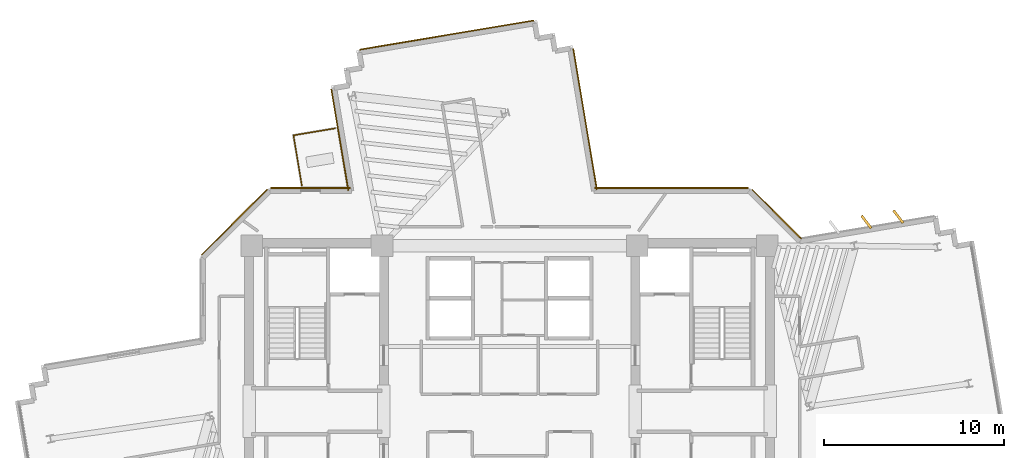
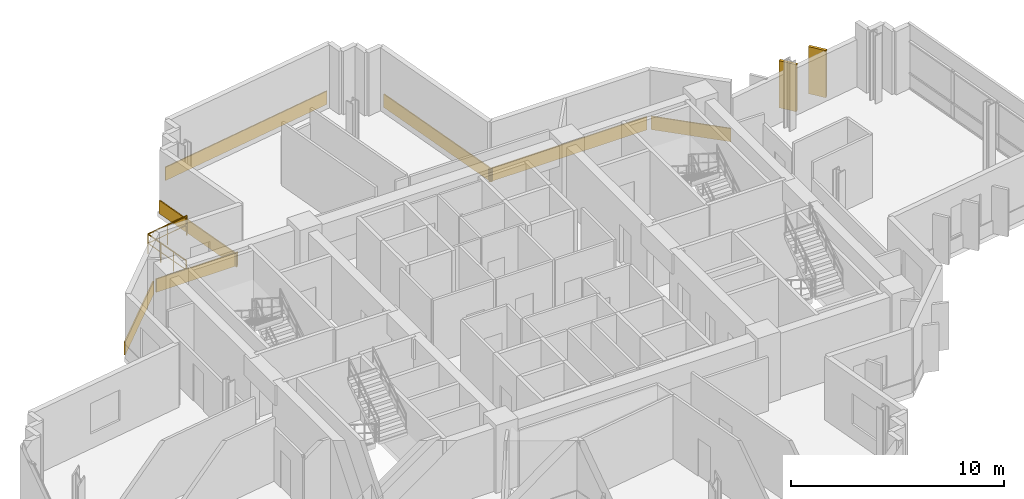
# One storey, part 15 of 15: 9 coverings, 2 railings.
"""IFC4 building model written with IfcOpenShell, lengths in metres."""

from ifc_helpers import new_model, si_unit, direction, frame, origin, origin_2d, place, context, subcontext, project, spatial, rectangle, extrude, source, transform, mapped, material, layer, layer_set, type_object, element, save


model = new_model("IFC4")

# Units and contexts
model_context = context("Model", 3, precision=1e-05, world=origin(), true_north=direction((0.0, 1.0)))
body_context = subcontext(model_context, "Body", "Model", "MODEL_VIEW")
ifc_project = project(units=[si_unit("LENGTHUNIT", "METRE"), si_unit("AREAUNIT", "SQUARE_METRE"), si_unit("VOLUMEUNIT", "CUBIC_METRE"), si_unit("PLANEANGLEUNIT", "RADIAN"), si_unit("MASSUNIT", "GRAM", prefix="KILO")], contexts=[model_context])

# Site, building, storey
site_placement = place(None, origin())
site = spatial("IfcSite", under=ifc_project, at=site_placement, CompositionType="ELEMENT")
building_placement = place(site_placement, origin())
building = spatial("IfcBuilding", under=site, at=building_placement, Name="Zahravan Cultural Tower", CompositionType="ELEMENT")
storey_placement = place(building_placement, frame((0.0, 0.0, 139.5)))
storey = spatial("IfcBuildingStorey", under=building, at=storey_placement, Name="L31", CompositionType="ELEMENT", Elevation=139.5)

# Railings
ifc_material_1 = material(Name="Steel ASTM A572 Grade 50", Category="steel")
railing_type = type_object("IfcRailingType", Name="RL-BAL-1150", PredefinedType="BALUSTRADE", material=ifc_material_1)
railing_1_placement = place(storey_placement, frame((23.970703125, 42.355224609375, 0.0)))
element("IfcRailing", 1, at=railing_1_placement, inside=storey, type_object=railing_type, Name="L31 Edge Balustrade GRD-TR-L31-NW-01", PredefinedType="BALUSTRADE", context=body_context, shape_type="SweptSolid", body=[
    extrude(rectangle(XDim=0.05, YDim=0.05, at=origin_2d()), frame((0.0, 0.0, 1.125), z_axis=(0.986278554685, 0.16508971067, 0.0), x_axis=(-0.16508971067, 0.986278554685, 0.0)), (0.0, 0.0, 1.0), 2.349853515625),
    extrude(rectangle(XDim=0.032, YDim=0.032, at=origin_2d()), frame((0.0, 0.0, 0.597900390625), z_axis=(0.986278554685, 0.16508971067, 0.0), x_axis=(-0.16508971067, 0.986278554685, 0.0)), (0.0, 0.0, 1.0), 2.349853515625),
    extrude(rectangle(XDim=0.04, YDim=0.04, at=origin_2d()), origin(), (0.0, 0.0, 1.0), 1.14990234375),
    extrude(rectangle(XDim=0.04, YDim=0.04, at=origin_2d()), frame((1.15869140625, 0.19384765625, 0.0)), (0.0, 0.0, 1.0), 1.14990234375),
    extrude(rectangle(XDim=0.04, YDim=0.04, at=origin_2d()), frame((2.317626953125, 0.387939453125, 0.0)), (0.0, 0.0, 1.0), 1.14990234375),
])
railing_2_placement = place(storey_placement, frame((24.43505859375, 39.580078125, 0.0)))
element("IfcRailing", 2, at=railing_2_placement, inside=storey, type_object=railing_type, Name="L31 Edge Balustrade GRD-TR-L31-NW-02", PredefinedType="BALUSTRADE", context=body_context, shape_type="SweptSolid", body=[
    extrude(rectangle(XDim=0.05, YDim=0.05, at=origin_2d()), frame((0.0, 0.0, 1.125), z_axis=(-0.165032122976, 0.986288192359, 0.0), x_axis=(-0.986288192359, -0.165032122976, 0.0)), (0.0, 0.0, 1.0), 2.813720703125),
    extrude(rectangle(XDim=0.032, YDim=0.032, at=origin_2d()), frame((0.0, 0.0, 0.597900390625), z_axis=(-0.165032122976, 0.986288192359, 0.0), x_axis=(-0.986288192359, -0.165032122976, 0.0)), (0.0, 0.0, 1.0), 2.813720703125),
    extrude(rectangle(XDim=0.04, YDim=0.04, at=origin_2d()), origin(), (0.0, 0.0, 1.0), 1.14990234375),
    extrude(rectangle(XDim=0.04, YDim=0.04, at=origin_2d()), frame((-0.15478515625, 0.925048828125, 0.0)), (0.0, 0.0, 1.0), 1.14990234375),
    extrude(rectangle(XDim=0.04, YDim=0.04, at=origin_2d()), frame((-0.3095703125, 1.85009765625, 0.0)), (0.0, 0.0, 1.0), 1.14990234375),
    extrude(rectangle(XDim=0.04, YDim=0.04, at=origin_2d()), frame((-0.46435546875, 2.775146484375, 0.0)), (0.0, 0.0, 1.0), 1.14990234375),
])

# Coverings
ifc_material_2 = material(Name="Terracotta ceramic cladding", Category="masonry")
ifc_layer = layer(ifc_material_2, 0.06005859375)
ifc_layer_set = layer_set([ifc_layer], Name="Terracotta ceramic cladding")
covering_type = type_object("IfcCoveringType", Name="COV-CLAD-TC60", PredefinedType="CLADDING", material=ifc_layer_set)
shared_shape_1 = source(origin(), body_context, "Body", "SweptSolid", [
    extrude(rectangle(XDim=9.820068359375, YDim=0.06005859375, at=origin_2d()), origin(), (0.0, 0.0, 1.0), 0.760009765625),
])
covering_1_placement = place(storey_placement, frame((32.496826171875, 47.933837890625, 0.02001953125), z_axis=(0.0, 0.0, 1.0), x_axis=(0.986285601537, 0.165047605861, 0.0)))
element("IfcCovering", 3, at=covering_1_placement, inside=storey, type_object=covering_type, Name="L31 Terracotta Spandrel Cladding 45", PredefinedType="CLADDING", context=body_context, shape_type="MappedRepresentation", body=[
    mapped(shared_shape_1, transform((0.0, 0.0, 0.0), x_axis=(1.0, 0.0, 0.0), y_axis=(0.0, 1.0, 0.0), z_axis=(0.0, 0.0, 1.0), scale=1.0)),
])
shared_shape_2 = source(origin(), body_context, "Body", "SweptSolid", [
    extrude(rectangle(XDim=5.157958984375, YDim=0.06005859375, at=origin_2d()), origin(), (0.0, 0.0, 1.0), 0.760009765625),
])
covering_2_placement = place(storey_placement, frame((20.682373046875, 37.517578125, 0.02001953125), z_axis=(0.0, 0.0, 1.0), x_axis=(0.707106781187, 0.707106781187, 0.0)))
element("IfcCovering", 4, at=covering_2_placement, inside=storey, type_object=covering_type, Name="L31 Terracotta Spandrel Cladding 38", PredefinedType="CLADDING", context=body_context, shape_type="MappedRepresentation", body=[
    mapped(shared_shape_2, transform((0.0, 0.0, 0.0), x_axis=(1.0, 0.0, 0.0), y_axis=(0.0, 1.0, 0.0), z_axis=(0.0, 0.0, 1.0), scale=1.0)),
])
shared_shape_3 = source(origin(), body_context, "Body", "SweptSolid", [
    extrude(rectangle(XDim=0.8798828125, YDim=0.139892578125, at=origin_2d()), origin(), (0.0, 0.0, 1.0), 2.699951171875),
])
for number, where, z_axis, x_axis, name in (
    (5, (55.857177734375, 37.53173828125, 0.0498046875), (0.0, 0.0, 1.0), (-0.608761429009, 0.793353340291, 0.0), "L31 Herringbone Terracotta Fin 02"),
    (6, (57.632568359375, 37.828857421875, 0.0498046875), (0.0, 0.0, 1.0), (-0.608761429009, 0.793353340291, 0.0), "L31 Herringbone Terracotta Fin 03"),
):
    element("IfcCovering", number, at=place(storey_placement, frame(where, z_axis=z_axis, x_axis=x_axis)), inside=storey, type_object=covering_type, Name=name, PredefinedType="CLADDING", context=body_context, shape_type="MappedRepresentation", body=[
        mapped(shared_shape_3, transform((0.0, 0.0, 0.0), x_axis=(1.0, 0.0, 0.0), y_axis=(0.0, 1.0, 0.0), z_axis=(0.0, 0.0, 1.0), scale=1.0)),
    ])
shared_shape_4 = source(origin(), body_context, "Body", "SweptSolid", [
    extrude(rectangle(XDim=4.437744140625, YDim=0.06005859375, at=origin_2d()), origin(), (0.0, 0.0, 1.0), 0.760009765625),
])
covering_3_placement = place(storey_placement, frame((24.927001953125, 39.425048828125, 0.02001953125), z_axis=(0.0, 0.0, 1.0), x_axis=(1.0, 0.0, 0.0)))
element("IfcCovering", 7, at=covering_3_placement, inside=storey, type_object=covering_type, Name="L31 Terracotta Spandrel Cladding 39", PredefinedType="CLADDING", context=body_context, shape_type="MappedRepresentation", body=[
    mapped(shared_shape_4, transform((0.0, 0.0, 0.0), x_axis=(1.0, 0.0, 0.0), y_axis=(0.0, 1.0, 0.0), z_axis=(0.0, 0.0, 1.0), scale=1.0)),
])
shared_shape_5 = source(origin(), body_context, "Body", "SweptSolid", [
    extrude(rectangle(XDim=5.715087890625, YDim=0.06005859375, at=origin_2d()), origin(), (0.0, 0.0, 1.0), 0.760009765625),
])
covering_4_placement = place(storey_placement, frame((26.55322265625, 42.100341796875, 0.02001953125), z_axis=(0.0, 0.0, 1.0), x_axis=(-0.165064819767, 0.986282720763, 0.0)))
element("IfcCovering", 8, at=covering_4_placement, inside=storey, type_object=covering_type, Name="L31 Terracotta Spandrel Cladding 40", PredefinedType="CLADDING", context=body_context, shape_type="MappedRepresentation", body=[
    mapped(shared_shape_5, transform((0.0, 0.0, 0.0), x_axis=(1.0, 0.0, 0.0), y_axis=(0.0, 1.0, 0.0), z_axis=(0.0, 0.0, 1.0), scale=1.0)),
])
shared_shape_6 = source(origin(), body_context, "Body", "SweptSolid", [
    extrude(rectangle(XDim=7.944091796875, YDim=0.06005859375, at=origin_2d()), origin(), (0.0, 0.0, 1.0), 0.760009765625),
])
covering_5_placement = place(storey_placement, frame((40.199951171875, 43.254150390625, 0.02001953125), z_axis=(0.0, 0.0, 1.0), x_axis=(0.165047605861, -0.986285601537, 0.0)))
element("IfcCovering", 9, at=covering_5_placement, inside=storey, type_object=covering_type, Name="L31 Terracotta Spandrel Cladding 50", PredefinedType="CLADDING", context=body_context, shape_type="MappedRepresentation", body=[
    mapped(shared_shape_6, transform((0.0, 0.0, 0.0), x_axis=(1.0, 0.0, 0.0), y_axis=(0.0, 1.0, 0.0), z_axis=(0.0, 0.0, 1.0), scale=1.0)),
])
shared_shape_7 = source(origin(), body_context, "Body", "SweptSolid", [
    extrude(rectangle(XDim=8.541015625, YDim=0.06005859375, at=origin_2d()), origin(), (0.0, 0.0, 1.0), 0.760009765625),
])
covering_6_placement = place(storey_placement, frame((45.021484375, 39.425048828125, 0.02001953125), z_axis=(0.0, 0.0, 1.0), x_axis=(1.0, 0.0, 0.0)))
element("IfcCovering", 10, at=covering_6_placement, inside=storey, type_object=covering_type, Name="L31 Terracotta Spandrel Cladding 51", PredefinedType="CLADDING", context=body_context, shape_type="MappedRepresentation", body=[
    mapped(shared_shape_7, transform((0.0, 0.0, 0.0), x_axis=(1.0, 0.0, 0.0), y_axis=(0.0, 1.0, 0.0), z_axis=(0.0, 0.0, 1.0), scale=1.0)),
])
shared_shape_8 = source(origin(), body_context, "Body", "SweptSolid", [
    extrude(rectangle(XDim=3.8671875, YDim=0.06005859375, at=origin_2d()), origin(), (0.0, 0.0, 1.0), 0.760009765625),
])
covering_7_placement = place(storey_placement, frame((50.861328125, 37.97412109375, 0.02001953125), z_axis=(0.0, 0.0, 1.0), x_axis=(0.707106781187, -0.707106781187, 0.0)))
element("IfcCovering", 11, at=covering_7_placement, inside=storey, type_object=covering_type, Name="L31 Terracotta Spandrel Cladding 52", PredefinedType="CLADDING", context=body_context, shape_type="MappedRepresentation", body=[
    mapped(shared_shape_8, transform((0.0, 0.0, 0.0), x_axis=(1.0, 0.0, 0.0), y_axis=(0.0, 1.0, 0.0), z_axis=(0.0, 0.0, 1.0), scale=1.0)),
])

save(model, "model.ifc")
